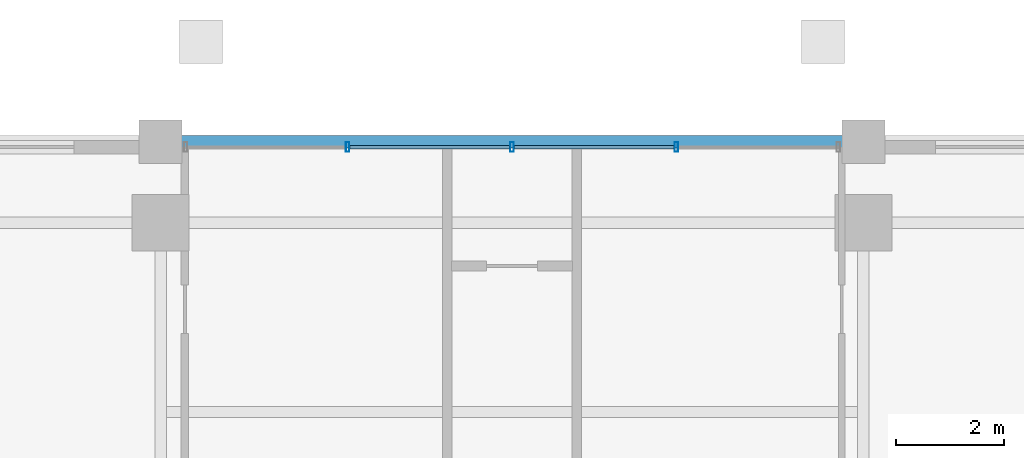
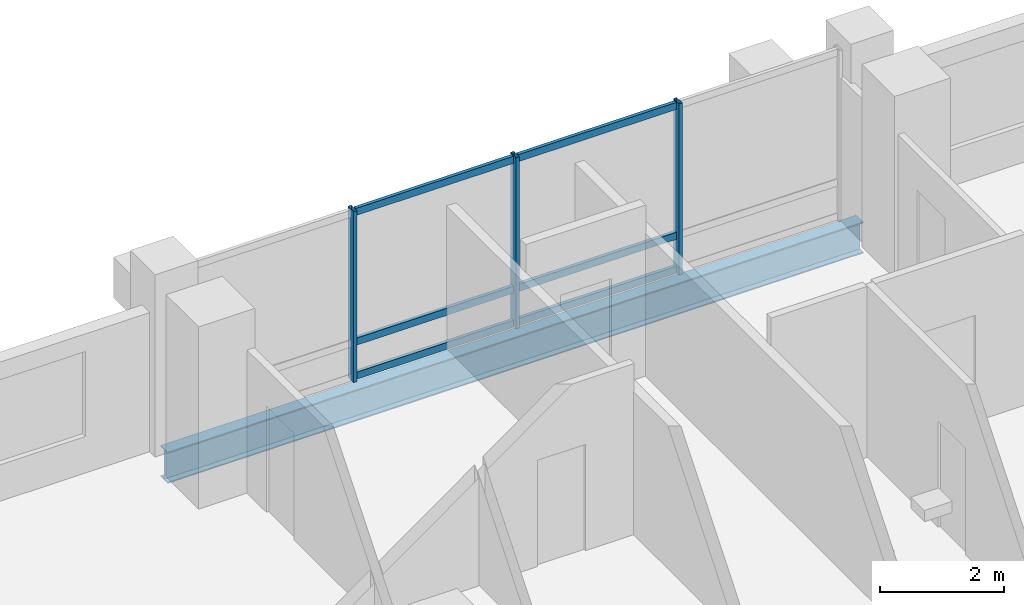
# One storey, part 15 of 24: 9 members, 1 beam, 1 element without a shape of its own.
"""IFC4 building model written with IfcOpenShell, lengths in metres."""

from ifc_helpers import new_model, si_unit, direction, frame, origin, origin_2d, place, context, subcontext, project, spatial, hollow_rectangle, i_section, extrude, material, layer, layer_set, material_profile, profile_set, type_object, element, aggregate, save


model = new_model("IFC4")

# Units and contexts
model_context = context("Model", 3, precision=1e-05, world=origin(), true_north=direction((0.0, 1.0)))
body_context = subcontext(model_context, "Body", "Model", "MODEL_VIEW")
ifc_project = project(units=[si_unit("LENGTHUNIT", "METRE"), si_unit("AREAUNIT", "SQUARE_METRE"), si_unit("VOLUMEUNIT", "CUBIC_METRE"), si_unit("PLANEANGLEUNIT", "RADIAN"), si_unit("MASSUNIT", "GRAM", prefix="KILO")], contexts=[model_context])

# Site, building, storey
site_placement = place(None, origin())
site = spatial("IfcSite", under=ifc_project, at=site_placement, CompositionType="ELEMENT")
building_placement = place(site_placement, origin())
building = spatial("IfcBuilding", under=site, at=building_placement, Name="Barlavira Tower and Art Museum", CompositionType="ELEMENT")
storey_placement = place(building_placement, frame((0.0, 0.0, 190.800048828125)))
storey = spatial("IfcBuildingStorey", under=building, at=storey_placement, Name="L49", CompositionType="ELEMENT", Elevation=190.800048828125)

# Curtain wall, members
ifc_material_1 = material(Name="Low-iron coastal laminated glass", Category="glass")
ifc_layer = layer(ifc_material_1, 0.199951171875, Name="Low-iron coastal laminated glass")
ifc_layer_set = layer_set([ifc_layer], Name="Low-iron coastal laminated glass")
curtain_wall_type = type_object("IfcCurtainWallType", Name="Pale-Metal Unitised Curtain Wall Zone 3", PredefinedType="NOTDEFINED", material=ifc_layer_set)
curtain_wall_placement = place(storey_placement, origin())
curtain_wall = element("IfcCurtainWall", 1, at=curtain_wall_placement, inside=storey, type_object=curtain_wall_type, Name="L49 Curtain Wall CW3-L49-N-B3", PredefinedType="NOTDEFINED")
ifc_material_2 = material(Name="Pale anodised aluminium", Category="aluminium")
ifc_material_profile_1 = material_profile(ifc_material_2, hollow_rectangle(XDim=0.06494140625, YDim=0.179931640625, WallThickness=0.00390625, at=origin_2d()), Name="ALU-MULL 65x180x4")
ifc_profile_set_1 = profile_set([ifc_material_profile_1], Name="Pale anodised aluminium")
member_type_1 = type_object("IfcMemberType", Name="Curtain Wall Pale-Metal Mullion 65x180", PredefinedType="MULLION", material=ifc_profile_set_1)
member_1_placement = place(storey_placement, frame((3.0400390625, 21.39990234375, 0.0), z_axis=(0.0, 0.0, 1.0), x_axis=(-1.0, 0.0, 0.0)))
member_1 = element("IfcMember", 2, at=member_1_placement, type_object=member_type_1, Name="CW3-L49-N-B3 Mullion 1", PredefinedType="MULLION", context=body_context, shape_type="SweptSolid", body=[
    extrude(hollow_rectangle(XDim=0.06494140625, YDim=0.179931640625, WallThickness=0.00390625, at=origin_2d()), origin(), (0.0, 0.0, 1.0), 3.3798828125),
])
member_2_placement = place(storey_placement, frame((0.0, 21.39990234375, 0.0), z_axis=(0.0, 0.0, 1.0), x_axis=(-1.0, 0.0, 0.0)))
member_2 = element("IfcMember", 3, at=member_2_placement, type_object=member_type_1, Name="CW3-L49-N-B3 Mullion 2", PredefinedType="MULLION", context=body_context, shape_type="SweptSolid", body=[
    extrude(hollow_rectangle(XDim=0.06494140625, YDim=0.179931640625, WallThickness=0.00390625, at=origin_2d()), origin(), (0.0, 0.0, 1.0), 3.3798828125),
])
member_3_placement = place(storey_placement, frame((-3.0400390625, 21.39990234375, 0.0), z_axis=(0.0, 0.0, 1.0), x_axis=(-1.0, 0.0, 0.0)))
member_3 = element("IfcMember", 4, at=member_3_placement, type_object=member_type_1, Name="CW3-L49-N-B3 Mullion 3", PredefinedType="MULLION", context=body_context, shape_type="SweptSolid", body=[
    extrude(hollow_rectangle(XDim=0.06494140625, YDim=0.179931640625, WallThickness=0.00390625, at=origin_2d()), origin(), (0.0, 0.0, 1.0), 3.3798828125),
])
ifc_material_profile_2 = material_profile(ifc_material_2, hollow_rectangle(XDim=0.06494140625, YDim=0.139892578125, WallThickness=0.00390625, at=origin_2d()), Name="ALU-TRAN 65x140x4")
ifc_profile_set_2 = profile_set([ifc_material_profile_2], Name="Pale anodised aluminium")
member_type_2 = type_object("IfcMemberType", Name="Curtain Wall Pale-Metal Transom 65x140", PredefinedType="USERDEFINED", material=ifc_profile_set_2)
member_4_placement = place(storey_placement, frame((2.9951171875, 21.39990234375, 0.070068359375), z_axis=(-1.0, 0.0, 0.0), x_axis=(0.0, -1.0, 0.0)))
member_4 = element("IfcMember", 5, at=member_4_placement, type_object=member_type_2, Name="CW3-L49-N-B3 Transom 1.1", ObjectType="TRANSOM", PredefinedType="USERDEFINED", context=body_context, shape_type="SweptSolid", body=[
    extrude(hollow_rectangle(XDim=0.06494140625, YDim=0.139892578125, WallThickness=0.00390625, at=origin_2d()), origin(), (0.0, 0.0, 1.0), 2.9501953125),
])
member_5_placement = place(storey_placement, frame((2.9951171875, 21.39990234375, 0.743896484375), z_axis=(-1.0, 0.0, 0.0), x_axis=(0.0, -1.0, 0.0)))
member_5 = element("IfcMember", 6, at=member_5_placement, type_object=member_type_2, Name="CW3-L49-N-B3 Transom 1.2", ObjectType="TRANSOM", PredefinedType="USERDEFINED", context=body_context, shape_type="SweptSolid", body=[
    extrude(hollow_rectangle(XDim=0.06494140625, YDim=0.139892578125, WallThickness=0.00390625, at=origin_2d()), origin(), (0.0, 0.0, 1.0), 2.9501953125),
])
member_6_placement = place(storey_placement, frame((2.9951171875, 21.39990234375, 3.31005859375), z_axis=(-1.0, 0.0, 0.0), x_axis=(0.0, -1.0, 0.0)))
member_6 = element("IfcMember", 7, at=member_6_placement, type_object=member_type_2, Name="CW3-L49-N-B3 Transom 1.3", ObjectType="TRANSOM", PredefinedType="USERDEFINED", context=body_context, shape_type="SweptSolid", body=[
    extrude(hollow_rectangle(XDim=0.06494140625, YDim=0.139892578125, WallThickness=0.00390625, at=origin_2d()), origin(), (0.0, 0.0, 1.0), 2.9501953125),
])
member_7_placement = place(storey_placement, frame((-0.044921875, 21.39990234375, 0.070068359375), z_axis=(-1.0, 0.0, 0.0), x_axis=(0.0, -1.0, 0.0)))
member_7 = element("IfcMember", 8, at=member_7_placement, type_object=member_type_2, Name="CW3-L49-N-B3 Transom 2.1", ObjectType="TRANSOM", PredefinedType="USERDEFINED", context=body_context, shape_type="SweptSolid", body=[
    extrude(hollow_rectangle(XDim=0.06494140625, YDim=0.139892578125, WallThickness=0.00390625, at=origin_2d()), origin(), (0.0, 0.0, 1.0), 2.9501953125),
])
member_8_placement = place(storey_placement, frame((-0.044921875, 21.39990234375, 0.743896484375), z_axis=(-1.0, 0.0, 0.0), x_axis=(0.0, -1.0, 0.0)))
member_8 = element("IfcMember", 9, at=member_8_placement, type_object=member_type_2, Name="CW3-L49-N-B3 Transom 2.2", ObjectType="TRANSOM", PredefinedType="USERDEFINED", context=body_context, shape_type="SweptSolid", body=[
    extrude(hollow_rectangle(XDim=0.06494140625, YDim=0.139892578125, WallThickness=0.00390625, at=origin_2d()), origin(), (0.0, 0.0, 1.0), 2.9501953125),
])
member_9_placement = place(storey_placement, frame((-0.044921875, 21.39990234375, 3.31005859375), z_axis=(-1.0, 0.0, 0.0), x_axis=(0.0, -1.0, 0.0)))
member_9 = element("IfcMember", 10, at=member_9_placement, type_object=member_type_2, Name="CW3-L49-N-B3 Transom 2.3", ObjectType="TRANSOM", PredefinedType="USERDEFINED", context=body_context, shape_type="SweptSolid", body=[
    extrude(hollow_rectangle(XDim=0.06494140625, YDim=0.139892578125, WallThickness=0.00390625, at=origin_2d()), origin(), (0.0, 0.0, 1.0), 2.9501953125),
])
aggregate(curtain_wall, [member_1, member_2, member_3, member_4, member_5, member_6, member_7, member_8, member_9])

# Beam
ifc_material_3 = material(Name="Steel S355", Category="steel")
ifc_material_profile_3 = material_profile(ifc_material_3, i_section(OverallWidth=0.22998046875, OverallDepth=0.616943359375, WebThickness=0.01318359375, FlangeThickness=0.022216796875, at=origin_2d()), Name="W610x140.0")
ifc_profile_set_3 = profile_set([ifc_material_profile_3], Name="Steel S355")
beam_type = type_object("IfcBeamType", Name="Upper Shaft Spandrel Edge Beam W610x140 Steel S355", PredefinedType="SPANDREL", material=ifc_profile_set_3)
beam_placement = place(storey_placement, frame((-6.5, 21.5, -0.528564453125), z_axis=(1.0, 0.0, 0.0), x_axis=(0.0, 1.0, 0.0)))
element("IfcBeam", 11, at=beam_placement, inside=storey, type_object=beam_type, Name="L49 Spandrel 10", PredefinedType="SPANDREL", context=body_context, shape_type="SweptSolid", body=[
    extrude(i_section(OverallWidth=0.22998046875, OverallDepth=0.616943359375, WebThickness=0.01318359375, FlangeThickness=0.022216796875, at=origin_2d()), origin(), (0.0, 0.0, 1.0), 13.0),
])

save(model, "model.ifc")
